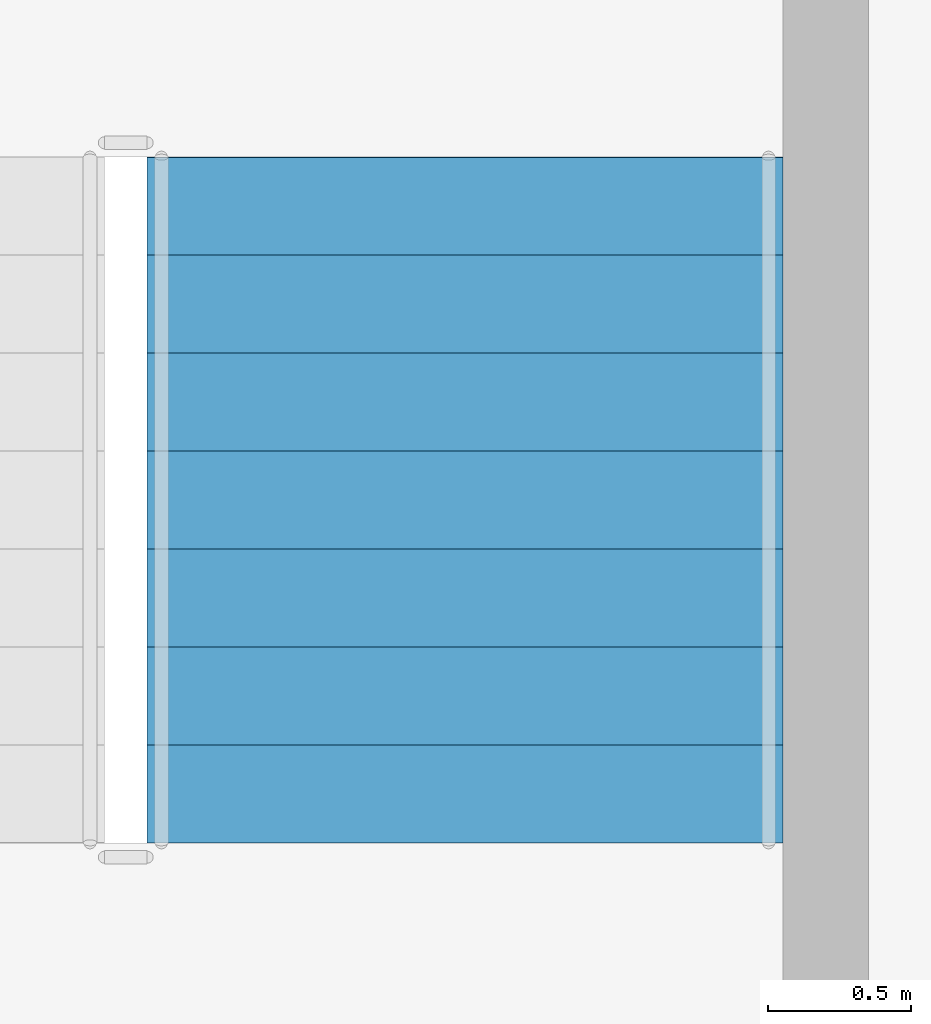
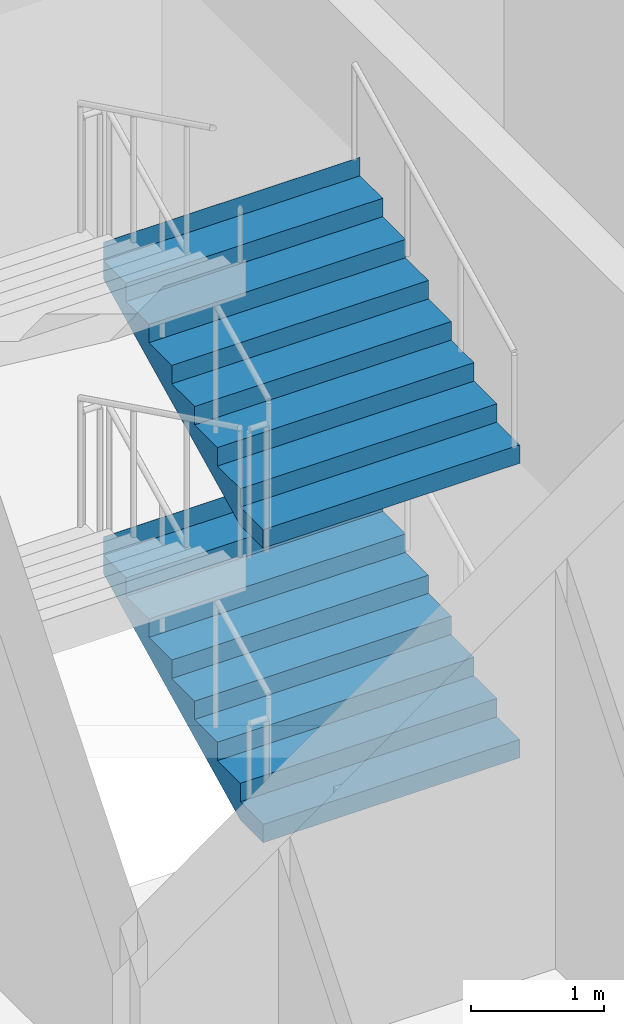
# One storey, part 39 of 42: 2 stair flights, 1 element without a shape of its own.
"""IFC4 building model written with IfcOpenShell, lengths in metres."""

from ifc_helpers import new_model, si_unit, direction, frame, origin, place, context, subcontext, project, spatial, triangles, material, type_object, element, aggregate, save


model = new_model("IFC4")

# Units and contexts
model_context = context("Model", 3, precision=1e-05, world=origin(), true_north=direction((0.0, 1.0)))
body_context = subcontext(model_context, "Body", "Model", "MODEL_VIEW")
ifc_project = project(units=[si_unit("LENGTHUNIT", "METRE"), si_unit("AREAUNIT", "SQUARE_METRE"), si_unit("VOLUMEUNIT", "CUBIC_METRE"), si_unit("PLANEANGLEUNIT", "RADIAN"), si_unit("MASSUNIT", "GRAM", prefix="KILO")], contexts=[model_context])

# Site, building, storey
site_placement = place(None, origin())
site = spatial("IfcSite", under=ifc_project, at=site_placement, CompositionType="ELEMENT")
building_placement = place(site_placement, origin())
building = spatial("IfcBuilding", under=site, at=building_placement, Name="Sahrelin Media Tower", CompositionType="ELEMENT")
storey_placement = place(building_placement, frame((0.0, 0.0, 26.0)))
storey = spatial("IfcBuildingStorey", under=building, at=storey_placement, Name="L03", CompositionType="ELEMENT", Elevation=26.0)

# Stair, stair flights
ifc_material = material(Name="Concrete C40/50", Category="concrete")
stair_type = type_object("IfcStairType", Name="Podium stair 2225", PredefinedType="HALF_TURN_STAIR", material=ifc_material)
stair_placement = place(storey_placement, origin())
stair = element("IfcStair", 1, at=stair_placement, inside=storey, type_object=stair_type, Name="L03 Podium stair PS1", PredefinedType="HALF_TURN_STAIR")
stair_flight_type = type_object("IfcStairFlightType", Name="Stair flight 2225", PredefinedType="STRAIGHT", material=ifc_material)
stair_flight_1_placement = place(storey_placement, frame((11.83740234375, 30.625, 0.0), z_axis=(0.0, 0.0, 1.0), x_axis=(0.0, 1.0, 0.0)))
stair_flight_1 = element("IfcStairFlight", 2, at=stair_flight_1_placement, type_object=stair_flight_type, Name="PS1 flight 1", NumberOfRisers=8, NumberOfTreads=7, PredefinedType="STRAIGHT", RiserHeight=0.16875, TreadLength=0.342857143, context=body_context, shape_type="Tessellation", body=[
    triangles([(0.33935546875, 1.112548828125, 0.0), (0.33935546875, 0.794677734375, 0.0), (0.33935546875, 0.476806640625, 0.0), (0.33935546875, 0.158935546875, 0.0), (0.33935546875, -0.158935546875, 0.0), (0.33935546875, -0.476806640625, 0.0), (0.33935546875, -0.794677734375, 0.0), (0.33935546875, -1.112548828125, 0.0), (2.39990234375, 1.112548828125, 1.01416015625), (2.39990234375, 0.794677734375, 1.01416015625), (2.39990234375, 0.476806640625, 1.01416015625), (2.39990234375, 0.158935546875, 1.01416015625), (2.39990234375, -0.158935546875, 1.01416015625), (2.39990234375, -0.476806640625, 1.01416015625), (2.39990234375, -0.794677734375, 1.01416015625), (2.39990234375, -1.112548828125, 1.01416015625), (2.39990234375, 1.112548828125, 1.35009765625), (2.39990234375, 0.794677734375, 1.35009765625), (2.39990234375, 0.476806640625, 1.35009765625), (2.39990234375, 0.158935546875, 1.35009765625), (2.39990234375, -0.158935546875, 1.35009765625), (2.39990234375, -0.476806640625, 1.35009765625), (2.39990234375, -0.794677734375, 1.35009765625), (2.39990234375, -1.112548828125, 1.35009765625), (2.39794921875, 1.112548828125, 1.35009765625), (2.39794921875, 0.794677734375, 1.35009765625), (2.39794921875, 0.476806640625, 1.35009765625), (2.39794921875, 0.158935546875, 1.35009765625), (2.39794921875, -0.158935546875, 1.35009765625), (2.39794921875, -0.476806640625, 1.35009765625), (2.39794921875, -0.794677734375, 1.35009765625), (2.39794921875, -1.112548828125, 1.35009765625), (2.39794921875, 1.112548828125, 1.18115234375), (2.39794921875, 0.794677734375, 1.18115234375), (2.39794921875, 0.476806640625, 1.18115234375), (2.39794921875, 0.158935546875, 1.18115234375), (2.39794921875, -0.158935546875, 1.18115234375), (2.39794921875, -0.476806640625, 1.18115234375), (2.39794921875, -0.794677734375, 1.18115234375), (2.39794921875, -1.112548828125, 1.18115234375), (2.05712890625, 1.112548828125, 1.18115234375), (2.05712890625, 0.794677734375, 1.18115234375), (2.05712890625, 0.476806640625, 1.18115234375), (2.05712890625, 0.158935546875, 1.18115234375), (2.05712890625, -0.158935546875, 1.18115234375), (2.05712890625, -0.476806640625, 1.18115234375), (2.05712890625, -0.794677734375, 1.18115234375), (2.05712890625, -1.112548828125, 1.18115234375), (2.05712890625, 1.112548828125, 1.012451171875), (2.05712890625, 0.794677734375, 1.012451171875), (2.05712890625, 0.476806640625, 1.012451171875), (2.05712890625, 0.158935546875, 1.012451171875), (2.05712890625, -0.158935546875, 1.012451171875), (2.05712890625, -0.476806640625, 1.012451171875), (2.05712890625, -0.794677734375, 1.012451171875), (2.05712890625, -1.112548828125, 1.012451171875), (1.71435546875, 1.112548828125, 1.012451171875), (1.71435546875, 0.794677734375, 1.012451171875), (1.71435546875, 0.476806640625, 1.012451171875), (1.71435546875, 0.158935546875, 1.012451171875), (1.71435546875, -0.158935546875, 1.012451171875), (1.71435546875, -0.476806640625, 1.012451171875), (1.71435546875, -0.794677734375, 1.012451171875), (1.71435546875, -1.112548828125, 1.012451171875), (1.71435546875, 1.112548828125, 0.84375), (1.71435546875, 0.794677734375, 0.84375), (1.71435546875, 0.476806640625, 0.84375), (1.71435546875, 0.158935546875, 0.84375), (1.71435546875, -0.158935546875, 0.84375), (1.71435546875, -0.476806640625, 0.84375), (1.71435546875, -0.794677734375, 0.84375), (1.71435546875, -1.112548828125, 0.84375), (1.371337890625, 1.112548828125, 0.84375), (1.371337890625, 0.794677734375, 0.84375), (1.371337890625, 0.476806640625, 0.84375), (1.371337890625, 0.158935546875, 0.84375), (1.371337890625, -0.158935546875, 0.84375), (1.371337890625, -0.476806640625, 0.84375), (1.371337890625, -0.794677734375, 0.84375), (1.371337890625, -1.112548828125, 0.84375), (1.371337890625, 1.112548828125, 0.675048828125), (1.371337890625, 0.794677734375, 0.675048828125), (1.371337890625, 0.476806640625, 0.675048828125), (1.371337890625, 0.158935546875, 0.675048828125), (1.371337890625, -0.158935546875, 0.675048828125), (1.371337890625, -0.476806640625, 0.675048828125), (1.371337890625, -0.794677734375, 0.675048828125), (1.371337890625, -1.112548828125, 0.675048828125), (1.028564453125, 1.112548828125, 0.675048828125), (1.028564453125, 0.794677734375, 0.675048828125), (1.028564453125, 0.476806640625, 0.675048828125), (1.028564453125, 0.158935546875, 0.675048828125), (1.028564453125, -0.158935546875, 0.675048828125), (1.028564453125, -0.476806640625, 0.675048828125), (1.028564453125, -0.794677734375, 0.675048828125), (1.028564453125, -1.112548828125, 0.675048828125), (1.028564453125, 1.112548828125, 0.50634765625), (1.028564453125, 0.794677734375, 0.50634765625), (1.028564453125, 0.476806640625, 0.50634765625), (1.028564453125, 0.158935546875, 0.50634765625), (1.028564453125, -0.158935546875, 0.50634765625), (1.028564453125, -0.476806640625, 0.50634765625), (1.028564453125, -0.794677734375, 0.50634765625), (1.028564453125, -1.112548828125, 0.50634765625), (0.685791015625, 1.112548828125, 0.50634765625), (0.685791015625, 0.794677734375, 0.50634765625), (0.685791015625, 0.476806640625, 0.50634765625), (0.685791015625, 0.158935546875, 0.50634765625), (0.685791015625, -0.158935546875, 0.50634765625), (0.685791015625, -0.476806640625, 0.50634765625), (0.685791015625, -0.794677734375, 0.50634765625), (0.685791015625, -1.112548828125, 0.50634765625), (0.685791015625, 1.112548828125, 0.33740234375), (0.685791015625, 0.794677734375, 0.33740234375), (0.685791015625, 0.476806640625, 0.33740234375), (0.685791015625, 0.158935546875, 0.33740234375), (0.685791015625, -0.158935546875, 0.33740234375), (0.685791015625, -0.476806640625, 0.33740234375), (0.685791015625, -0.794677734375, 0.33740234375), (0.685791015625, -1.112548828125, 0.33740234375), (0.3427734375, 1.112548828125, 0.33740234375), (0.3427734375, 0.794677734375, 0.33740234375), (0.3427734375, 0.476806640625, 0.33740234375), (0.3427734375, 0.158935546875, 0.33740234375), (0.3427734375, -0.158935546875, 0.33740234375), (0.3427734375, -0.476806640625, 0.33740234375), (0.3427734375, -0.794677734375, 0.33740234375), (0.3427734375, -1.112548828125, 0.33740234375), (0.3427734375, 1.112548828125, 0.168701171875), (0.3427734375, 0.794677734375, 0.168701171875), (0.3427734375, 0.476806640625, 0.168701171875), (0.3427734375, 0.158935546875, 0.168701171875), (0.3427734375, -0.158935546875, 0.168701171875), (0.3427734375, -0.476806640625, 0.168701171875), (0.3427734375, -0.794677734375, 0.168701171875), (0.3427734375, -1.112548828125, 0.168701171875), (0.0, 1.112548828125, 0.168701171875), (0.0, 0.794677734375, 0.168701171875), (0.0, 0.476806640625, 0.168701171875), (0.0, 0.158935546875, 0.168701171875), (0.0, -0.158935546875, 0.168701171875), (0.0, -0.476806640625, 0.168701171875), (0.0, -0.794677734375, 0.168701171875), (0.0, -1.112548828125, 0.168701171875), (0.0, 1.112548828125, 0.0), (0.0, 0.794677734375, 0.0), (0.0, 0.476806640625, 0.0), (0.0, 0.158935546875, 0.0), (0.0, -0.158935546875, 0.0), (0.0, -0.476806640625, 0.0), (0.0, -0.794677734375, 0.0), (0.0, -1.112548828125, 0.0)], [[1, 9, 10], [1, 10, 2], [2, 10, 11], [2, 11, 3], [3, 11, 12], [3, 12, 4], [4, 12, 13], [4, 13, 5], [5, 13, 14], [5, 14, 6], [6, 14, 15], [6, 15, 7], [7, 15, 16], [7, 16, 8], [9, 17, 18], [9, 18, 10], [10, 18, 19], [10, 19, 11], [11, 19, 20], [11, 20, 12], [12, 20, 21], [12, 21, 13], [13, 21, 22], [13, 22, 14], [14, 22, 23], [14, 23, 15], [15, 23, 24], [15, 24, 16], [17, 25, 26], [17, 26, 18], [18, 26, 27], [18, 27, 19], [19, 27, 28], [19, 28, 20], [20, 28, 29], [20, 29, 21], [21, 29, 30], [21, 30, 22], [22, 30, 31], [22, 31, 23], [23, 31, 32], [23, 32, 24], [25, 33, 34], [25, 34, 26], [26, 34, 35], [26, 35, 27], [27, 35, 36], [27, 36, 28], [28, 36, 37], [28, 37, 29], [29, 37, 38], [29, 38, 30], [30, 38, 39], [30, 39, 31], [31, 39, 40], [31, 40, 32], [33, 41, 42], [33, 42, 34], [34, 42, 43], [34, 43, 35], [35, 43, 44], [35, 44, 36], [36, 44, 45], [36, 45, 37], [37, 45, 46], [37, 46, 38], [38, 46, 47], [38, 47, 39], [39, 47, 48], [39, 48, 40], [41, 49, 50], [41, 50, 42], [42, 50, 51], [42, 51, 43], [43, 51, 52], [43, 52, 44], [44, 52, 53], [44, 53, 45], [45, 53, 54], [45, 54, 46], [46, 54, 55], [46, 55, 47], [47, 55, 56], [47, 56, 48], [49, 57, 58], [49, 58, 50], [50, 58, 59], [50, 59, 51], [51, 59, 60], [51, 60, 52], [52, 60, 61], [52, 61, 53], [53, 61, 62], [53, 62, 54], [54, 62, 63], [54, 63, 55], [55, 63, 64], [55, 64, 56], [57, 65, 66], [57, 66, 58], [58, 66, 67], [58, 67, 59], [59, 67, 68], [59, 68, 60], [60, 68, 69], [60, 69, 61], [61, 69, 70], [61, 70, 62], [62, 70, 71], [62, 71, 63], [63, 71, 72], [63, 72, 64], [65, 73, 74], [65, 74, 66], [66, 74, 75], [66, 75, 67], [67, 75, 76], [67, 76, 68], [68, 76, 77], [68, 77, 69], [69, 77, 78], [69, 78, 70], [70, 78, 79], [70, 79, 71], [71, 79, 80], [71, 80, 72], [73, 81, 82], [73, 82, 74], [74, 82, 83], [74, 83, 75], [75, 83, 84], [75, 84, 76], [76, 84, 85], [76, 85, 77], [77, 85, 86], [77, 86, 78], [78, 86, 87], [78, 87, 79], [79, 87, 88], [79, 88, 80], [81, 89, 90], [81, 90, 82], [82, 90, 91], [82, 91, 83], [83, 91, 92], [83, 92, 84], [84, 92, 93], [84, 93, 85], [85, 93, 94], [85, 94, 86], [86, 94, 95], [86, 95, 87], [87, 95, 96], [87, 96, 88], [89, 97, 98], [89, 98, 90], [90, 98, 99], [90, 99, 91], [91, 99, 100], [91, 100, 92], [92, 100, 101], [92, 101, 93], [93, 101, 102], [93, 102, 94], [94, 102, 103], [94, 103, 95], [95, 103, 104], [95, 104, 96], [97, 105, 106], [97, 106, 98], [98, 106, 107], [98, 107, 99], [99, 107, 108], [99, 108, 100], [100, 108, 109], [100, 109, 101], [101, 109, 110], [101, 110, 102], [102, 110, 111], [102, 111, 103], [103, 111, 112], [103, 112, 104], [105, 113, 114], [105, 114, 106], [106, 114, 115], [106, 115, 107], [107, 115, 116], [107, 116, 108], [108, 116, 117], [108, 117, 109], [109, 117, 118], [109, 118, 110], [110, 118, 119], [110, 119, 111], [111, 119, 120], [111, 120, 112], [113, 121, 122], [113, 122, 114], [114, 122, 123], [114, 123, 115], [115, 123, 124], [115, 124, 116], [116, 124, 125], [116, 125, 117], [117, 125, 126], [117, 126, 118], [118, 126, 127], [118, 127, 119], [119, 127, 128], [119, 128, 120], [121, 129, 130], [121, 130, 122], [122, 130, 131], [122, 131, 123], [123, 131, 132], [123, 132, 124], [124, 132, 133], [124, 133, 125], [125, 133, 134], [125, 134, 126], [126, 134, 135], [126, 135, 127], [127, 135, 136], [127, 136, 128], [129, 137, 138], [129, 138, 130], [130, 138, 139], [130, 139, 131], [131, 139, 140], [131, 140, 132], [132, 140, 141], [132, 141, 133], [133, 141, 142], [133, 142, 134], [134, 142, 143], [134, 143, 135], [135, 143, 144], [135, 144, 136], [137, 145, 146], [137, 146, 138], [138, 146, 147], [138, 147, 139], [139, 147, 148], [139, 148, 140], [140, 148, 149], [140, 149, 141], [141, 149, 150], [141, 150, 142], [142, 150, 151], [142, 151, 143], [143, 151, 152], [143, 152, 144], [145, 1, 2], [145, 2, 146], [146, 2, 3], [146, 3, 147], [147, 3, 4], [147, 4, 148], [148, 4, 5], [148, 5, 149], [149, 5, 6], [149, 6, 150], [150, 6, 7], [150, 7, 151], [151, 7, 8], [151, 8, 152], [8, 144, 152], [1, 145, 137], [136, 120, 128], [129, 121, 113], [120, 104, 112], [113, 105, 97], [104, 88, 96], [97, 89, 81], [88, 72, 80], [81, 73, 65], [72, 56, 64], [65, 57, 49], [56, 40, 48], [49, 41, 33], [40, 24, 32], [33, 25, 17], [8, 136, 144], [1, 137, 129], [8, 88, 104], [1, 97, 81], [40, 16, 24], [33, 17, 9], [120, 136, 8], [113, 1, 129], [16, 72, 88], [9, 81, 65], [56, 16, 40], [49, 33, 9], [104, 120, 8], [97, 1, 113], [72, 16, 56], [65, 49, 9], [8, 16, 88], [1, 81, 9]], closed=True),
])
stair_flight_2_placement = place(storey_placement, frame((11.83740234375, 30.625, 2.699951171875), z_axis=(0.0, 0.0, 1.0), x_axis=(0.0, 1.0, 0.0)))
stair_flight_2 = element("IfcStairFlight", 3, at=stair_flight_2_placement, type_object=stair_flight_type, Name="PS1 flight 3", NumberOfRisers=8, NumberOfTreads=7, PredefinedType="STRAIGHT", RiserHeight=0.16875, TreadLength=0.342857143, context=body_context, shape_type="Tessellation", body=[
    triangles([(0.33935546875, 1.112548828125, 0.0), (0.33935546875, 0.794677734375, 0.0), (0.33935546875, 0.476806640625, 0.0), (0.33935546875, 0.158935546875, 0.0), (0.33935546875, -0.158935546875, 0.0), (0.33935546875, -0.476806640625, 0.0), (0.33935546875, -0.794677734375, 0.0), (0.33935546875, -1.112548828125, 0.0), (2.39990234375, 1.112548828125, 1.01416015625), (2.39990234375, 0.794677734375, 1.01416015625), (2.39990234375, 0.476806640625, 1.01416015625), (2.39990234375, 0.158935546875, 1.01416015625), (2.39990234375, -0.158935546875, 1.01416015625), (2.39990234375, -0.476806640625, 1.01416015625), (2.39990234375, -0.794677734375, 1.01416015625), (2.39990234375, -1.112548828125, 1.01416015625), (2.39990234375, 1.112548828125, 1.35009765625), (2.39990234375, 0.794677734375, 1.35009765625), (2.39990234375, 0.476806640625, 1.35009765625), (2.39990234375, 0.158935546875, 1.35009765625), (2.39990234375, -0.158935546875, 1.35009765625), (2.39990234375, -0.476806640625, 1.35009765625), (2.39990234375, -0.794677734375, 1.35009765625), (2.39990234375, -1.112548828125, 1.35009765625), (2.39794921875, 1.112548828125, 1.35009765625), (2.39794921875, 0.794677734375, 1.35009765625), (2.39794921875, 0.476806640625, 1.35009765625), (2.39794921875, 0.158935546875, 1.35009765625), (2.39794921875, -0.158935546875, 1.35009765625), (2.39794921875, -0.476806640625, 1.35009765625), (2.39794921875, -0.794677734375, 1.35009765625), (2.39794921875, -1.112548828125, 1.35009765625), (2.39794921875, 1.112548828125, 1.18115234375), (2.39794921875, 0.794677734375, 1.18115234375), (2.39794921875, 0.476806640625, 1.18115234375), (2.39794921875, 0.158935546875, 1.18115234375), (2.39794921875, -0.158935546875, 1.18115234375), (2.39794921875, -0.476806640625, 1.18115234375), (2.39794921875, -0.794677734375, 1.18115234375), (2.39794921875, -1.112548828125, 1.18115234375), (2.05712890625, 1.112548828125, 1.18115234375), (2.05712890625, 0.794677734375, 1.18115234375), (2.05712890625, 0.476806640625, 1.18115234375), (2.05712890625, 0.158935546875, 1.18115234375), (2.05712890625, -0.158935546875, 1.18115234375), (2.05712890625, -0.476806640625, 1.18115234375), (2.05712890625, -0.794677734375, 1.18115234375), (2.05712890625, -1.112548828125, 1.18115234375), (2.05712890625, 1.112548828125, 1.012451171875), (2.05712890625, 0.794677734375, 1.012451171875), (2.05712890625, 0.476806640625, 1.012451171875), (2.05712890625, 0.158935546875, 1.012451171875), (2.05712890625, -0.158935546875, 1.012451171875), (2.05712890625, -0.476806640625, 1.012451171875), (2.05712890625, -0.794677734375, 1.012451171875), (2.05712890625, -1.112548828125, 1.012451171875), (1.71435546875, 1.112548828125, 1.012451171875), (1.71435546875, 0.794677734375, 1.012451171875), (1.71435546875, 0.476806640625, 1.012451171875), (1.71435546875, 0.158935546875, 1.012451171875), (1.71435546875, -0.158935546875, 1.012451171875), (1.71435546875, -0.476806640625, 1.012451171875), (1.71435546875, -0.794677734375, 1.012451171875), (1.71435546875, -1.112548828125, 1.012451171875), (1.71435546875, 1.112548828125, 0.84375), (1.71435546875, 0.794677734375, 0.84375), (1.71435546875, 0.476806640625, 0.84375), (1.71435546875, 0.158935546875, 0.84375), (1.71435546875, -0.158935546875, 0.84375), (1.71435546875, -0.476806640625, 0.84375), (1.71435546875, -0.794677734375, 0.84375), (1.71435546875, -1.112548828125, 0.84375), (1.371337890625, 1.112548828125, 0.84375), (1.371337890625, 0.794677734375, 0.84375), (1.371337890625, 0.476806640625, 0.84375), (1.371337890625, 0.158935546875, 0.84375), (1.371337890625, -0.158935546875, 0.84375), (1.371337890625, -0.476806640625, 0.84375), (1.371337890625, -0.794677734375, 0.84375), (1.371337890625, -1.112548828125, 0.84375), (1.371337890625, 1.112548828125, 0.675048828125), (1.371337890625, 0.794677734375, 0.675048828125), (1.371337890625, 0.476806640625, 0.675048828125), (1.371337890625, 0.158935546875, 0.675048828125), (1.371337890625, -0.158935546875, 0.675048828125), (1.371337890625, -0.476806640625, 0.675048828125), (1.371337890625, -0.794677734375, 0.675048828125), (1.371337890625, -1.112548828125, 0.675048828125), (1.028564453125, 1.112548828125, 0.675048828125), (1.028564453125, 0.794677734375, 0.675048828125), (1.028564453125, 0.476806640625, 0.675048828125), (1.028564453125, 0.158935546875, 0.675048828125), (1.028564453125, -0.158935546875, 0.675048828125), (1.028564453125, -0.476806640625, 0.675048828125), (1.028564453125, -0.794677734375, 0.675048828125), (1.028564453125, -1.112548828125, 0.675048828125), (1.028564453125, 1.112548828125, 0.50634765625), (1.028564453125, 0.794677734375, 0.50634765625), (1.028564453125, 0.476806640625, 0.50634765625), (1.028564453125, 0.158935546875, 0.50634765625), (1.028564453125, -0.158935546875, 0.50634765625), (1.028564453125, -0.476806640625, 0.50634765625), (1.028564453125, -0.794677734375, 0.50634765625), (1.028564453125, -1.112548828125, 0.50634765625), (0.685791015625, 1.112548828125, 0.50634765625), (0.685791015625, 0.794677734375, 0.50634765625), (0.685791015625, 0.476806640625, 0.50634765625), (0.685791015625, 0.158935546875, 0.50634765625), (0.685791015625, -0.158935546875, 0.50634765625), (0.685791015625, -0.476806640625, 0.50634765625), (0.685791015625, -0.794677734375, 0.50634765625), (0.685791015625, -1.112548828125, 0.50634765625), (0.685791015625, 1.112548828125, 0.33740234375), (0.685791015625, 0.794677734375, 0.33740234375), (0.685791015625, 0.476806640625, 0.33740234375), (0.685791015625, 0.158935546875, 0.33740234375), (0.685791015625, -0.158935546875, 0.33740234375), (0.685791015625, -0.476806640625, 0.33740234375), (0.685791015625, -0.794677734375, 0.33740234375), (0.685791015625, -1.112548828125, 0.33740234375), (0.3427734375, 1.112548828125, 0.33740234375), (0.3427734375, 0.794677734375, 0.33740234375), (0.3427734375, 0.476806640625, 0.33740234375), (0.3427734375, 0.158935546875, 0.33740234375), (0.3427734375, -0.158935546875, 0.33740234375), (0.3427734375, -0.476806640625, 0.33740234375), (0.3427734375, -0.794677734375, 0.33740234375), (0.3427734375, -1.112548828125, 0.33740234375), (0.3427734375, 1.112548828125, 0.168701171875), (0.3427734375, 0.794677734375, 0.168701171875), (0.3427734375, 0.476806640625, 0.168701171875), (0.3427734375, 0.158935546875, 0.168701171875), (0.3427734375, -0.158935546875, 0.168701171875), (0.3427734375, -0.476806640625, 0.168701171875), (0.3427734375, -0.794677734375, 0.168701171875), (0.3427734375, -1.112548828125, 0.168701171875), (0.0, 1.112548828125, 0.168701171875), (0.0, 0.794677734375, 0.168701171875), (0.0, 0.476806640625, 0.168701171875), (0.0, 0.158935546875, 0.168701171875), (0.0, -0.158935546875, 0.168701171875), (0.0, -0.476806640625, 0.168701171875), (0.0, -0.794677734375, 0.168701171875), (0.0, -1.112548828125, 0.168701171875), (0.0, 1.112548828125, 0.0), (0.0, 0.794677734375, 0.0), (0.0, 0.476806640625, 0.0), (0.0, 0.158935546875, 0.0), (0.0, -0.158935546875, 0.0), (0.0, -0.476806640625, 0.0), (0.0, -0.794677734375, 0.0), (0.0, -1.112548828125, 0.0)], [[1, 9, 10], [1, 10, 2], [2, 10, 11], [2, 11, 3], [3, 11, 12], [3, 12, 4], [4, 12, 13], [4, 13, 5], [5, 13, 14], [5, 14, 6], [6, 14, 15], [6, 15, 7], [7, 15, 16], [7, 16, 8], [9, 17, 18], [9, 18, 10], [10, 18, 19], [10, 19, 11], [11, 19, 20], [11, 20, 12], [12, 20, 21], [12, 21, 13], [13, 21, 22], [13, 22, 14], [14, 22, 23], [14, 23, 15], [15, 23, 24], [15, 24, 16], [17, 25, 26], [17, 26, 18], [18, 26, 27], [18, 27, 19], [19, 27, 28], [19, 28, 20], [20, 28, 29], [20, 29, 21], [21, 29, 30], [21, 30, 22], [22, 30, 31], [22, 31, 23], [23, 31, 32], [23, 32, 24], [25, 33, 34], [25, 34, 26], [26, 34, 35], [26, 35, 27], [27, 35, 36], [27, 36, 28], [28, 36, 37], [28, 37, 29], [29, 37, 38], [29, 38, 30], [30, 38, 39], [30, 39, 31], [31, 39, 40], [31, 40, 32], [33, 41, 42], [33, 42, 34], [34, 42, 43], [34, 43, 35], [35, 43, 44], [35, 44, 36], [36, 44, 45], [36, 45, 37], [37, 45, 46], [37, 46, 38], [38, 46, 47], [38, 47, 39], [39, 47, 48], [39, 48, 40], [41, 49, 50], [41, 50, 42], [42, 50, 51], [42, 51, 43], [43, 51, 52], [43, 52, 44], [44, 52, 53], [44, 53, 45], [45, 53, 54], [45, 54, 46], [46, 54, 55], [46, 55, 47], [47, 55, 56], [47, 56, 48], [49, 57, 58], [49, 58, 50], [50, 58, 59], [50, 59, 51], [51, 59, 60], [51, 60, 52], [52, 60, 61], [52, 61, 53], [53, 61, 62], [53, 62, 54], [54, 62, 63], [54, 63, 55], [55, 63, 64], [55, 64, 56], [57, 65, 66], [57, 66, 58], [58, 66, 67], [58, 67, 59], [59, 67, 68], [59, 68, 60], [60, 68, 69], [60, 69, 61], [61, 69, 70], [61, 70, 62], [62, 70, 71], [62, 71, 63], [63, 71, 72], [63, 72, 64], [65, 73, 74], [65, 74, 66], [66, 74, 75], [66, 75, 67], [67, 75, 76], [67, 76, 68], [68, 76, 77], [68, 77, 69], [69, 77, 78], [69, 78, 70], [70, 78, 79], [70, 79, 71], [71, 79, 80], [71, 80, 72], [73, 81, 82], [73, 82, 74], [74, 82, 83], [74, 83, 75], [75, 83, 84], [75, 84, 76], [76, 84, 85], [76, 85, 77], [77, 85, 86], [77, 86, 78], [78, 86, 87], [78, 87, 79], [79, 87, 88], [79, 88, 80], [81, 89, 90], [81, 90, 82], [82, 90, 91], [82, 91, 83], [83, 91, 92], [83, 92, 84], [84, 92, 93], [84, 93, 85], [85, 93, 94], [85, 94, 86], [86, 94, 95], [86, 95, 87], [87, 95, 96], [87, 96, 88], [89, 97, 98], [89, 98, 90], [90, 98, 99], [90, 99, 91], [91, 99, 100], [91, 100, 92], [92, 100, 101], [92, 101, 93], [93, 101, 102], [93, 102, 94], [94, 102, 103], [94, 103, 95], [95, 103, 104], [95, 104, 96], [97, 105, 106], [97, 106, 98], [98, 106, 107], [98, 107, 99], [99, 107, 108], [99, 108, 100], [100, 108, 109], [100, 109, 101], [101, 109, 110], [101, 110, 102], [102, 110, 111], [102, 111, 103], [103, 111, 112], [103, 112, 104], [105, 113, 114], [105, 114, 106], [106, 114, 115], [106, 115, 107], [107, 115, 116], [107, 116, 108], [108, 116, 117], [108, 117, 109], [109, 117, 118], [109, 118, 110], [110, 118, 119], [110, 119, 111], [111, 119, 120], [111, 120, 112], [113, 121, 122], [113, 122, 114], [114, 122, 123], [114, 123, 115], [115, 123, 124], [115, 124, 116], [116, 124, 125], [116, 125, 117], [117, 125, 126], [117, 126, 118], [118, 126, 127], [118, 127, 119], [119, 127, 128], [119, 128, 120], [121, 129, 130], [121, 130, 122], [122, 130, 131], [122, 131, 123], [123, 131, 132], [123, 132, 124], [124, 132, 133], [124, 133, 125], [125, 133, 134], [125, 134, 126], [126, 134, 135], [126, 135, 127], [127, 135, 136], [127, 136, 128], [129, 137, 138], [129, 138, 130], [130, 138, 139], [130, 139, 131], [131, 139, 140], [131, 140, 132], [132, 140, 141], [132, 141, 133], [133, 141, 142], [133, 142, 134], [134, 142, 143], [134, 143, 135], [135, 143, 144], [135, 144, 136], [137, 145, 146], [137, 146, 138], [138, 146, 147], [138, 147, 139], [139, 147, 148], [139, 148, 140], [140, 148, 149], [140, 149, 141], [141, 149, 150], [141, 150, 142], [142, 150, 151], [142, 151, 143], [143, 151, 152], [143, 152, 144], [145, 1, 2], [145, 2, 146], [146, 2, 3], [146, 3, 147], [147, 3, 4], [147, 4, 148], [148, 4, 5], [148, 5, 149], [149, 5, 6], [149, 6, 150], [150, 6, 7], [150, 7, 151], [151, 7, 8], [151, 8, 152], [8, 144, 152], [1, 145, 137], [136, 120, 128], [129, 121, 113], [120, 104, 112], [113, 105, 97], [104, 88, 96], [97, 89, 81], [88, 72, 80], [81, 73, 65], [72, 56, 64], [65, 57, 49], [56, 40, 48], [49, 41, 33], [40, 24, 32], [33, 25, 17], [8, 136, 144], [1, 137, 129], [8, 88, 104], [1, 97, 81], [40, 16, 24], [33, 17, 9], [120, 136, 8], [113, 1, 129], [16, 72, 88], [9, 81, 65], [56, 16, 40], [49, 33, 9], [104, 120, 8], [97, 1, 113], [72, 16, 56], [65, 49, 9], [8, 16, 88], [1, 81, 9]], closed=True),
])
aggregate(stair, [stair_flight_1, stair_flight_2])

save(model, "model.ifc")
